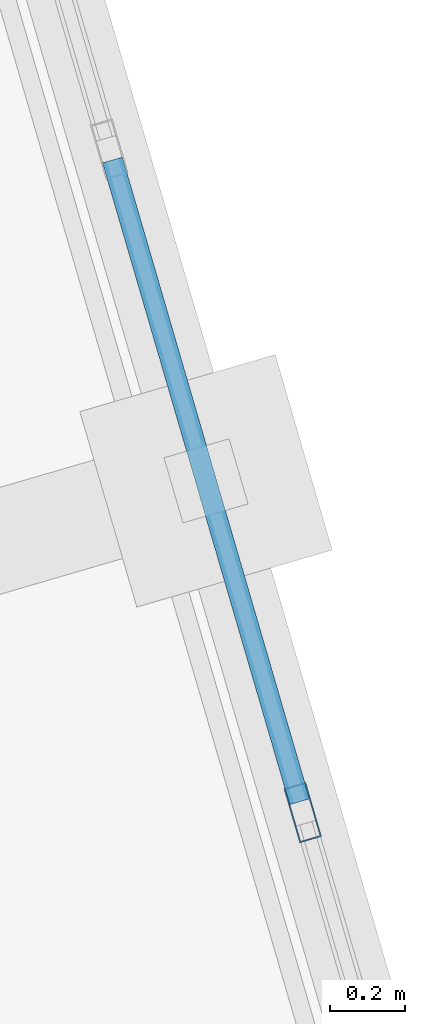
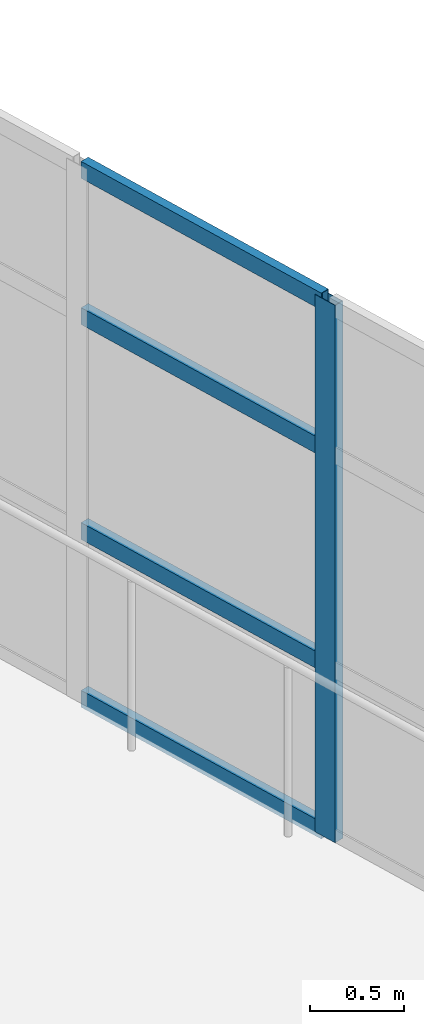
# One storey, part 78 of 248: 5 members, 1 element without a shape of its own.
"""IFC4 building model written with IfcOpenShell, lengths in metres."""

from ifc_helpers import new_model, si_unit, direction, frame, origin, origin_2d, place, context, subcontext, project, spatial, hollow_rectangle, extrude, material, layer, layer_set, material_profile, profile_set, type_object, element, aggregate, save


model = new_model("IFC4")

# Units and contexts
model_context = context("Model", 3, precision=1e-05, world=origin(), true_north=direction((0.0, 1.0)))
body_context = subcontext(model_context, "Body", "Model", "MODEL_VIEW")
ifc_project = project(units=[si_unit("LENGTHUNIT", "METRE"), si_unit("AREAUNIT", "SQUARE_METRE"), si_unit("VOLUMEUNIT", "CUBIC_METRE"), si_unit("PLANEANGLEUNIT", "RADIAN"), si_unit("MASSUNIT", "GRAM", prefix="KILO")], contexts=[model_context])

# Site, building, storey
site_placement = place(None, origin())
site = spatial("IfcSite", under=ifc_project, at=site_placement, CompositionType="ELEMENT")
building_placement = place(site_placement, origin())
building = spatial("IfcBuilding", under=site, at=building_placement, Name="Canggui Botanical Conservatory", CompositionType="ELEMENT")
storey_placement = place(building_placement, frame((0.0, 0.0, 5.39990234375)))
storey = spatial("IfcBuildingStorey", under=building, at=storey_placement, Name="L02", CompositionType="ELEMENT", Elevation=5.39990234375)

# Curtain wall, members
ifc_material = material(Name="Thermally Broken Aluminium", Category="aluminium")
ifc_layer = layer(ifc_material, 0.14990234375, Name="Thermally Broken Aluminium", Category="aluminium")
ifc_layer_set = layer_set([ifc_layer], Name="Thermally Broken Aluminium")
curtain_wall_type = type_object("IfcCurtainWallType", Name="CW-UNIT-C", PredefinedType="USERDEFINED", material=ifc_layer_set)
curtain_wall_placement = place(storey_placement, origin())
curtain_wall = element("IfcCurtainWall", 1, at=curtain_wall_placement, inside=storey, type_object=curtain_wall_type, Name="Facade Curtain Wall CW-CONS-GABLE-L02-N-02", ObjectType="UNITISED CURTAIN WALL", PredefinedType="USERDEFINED")
ifc_material_profile_1 = material_profile(ifc_material, hollow_rectangle(XDim=0.06005859375, YDim=0.14990234375, WallThickness=0.00341796875, at=origin_2d()), Name="CWM 60x150x3.5")
ifc_profile_set_1 = profile_set([ifc_material_profile_1], Name="Thermally Broken Aluminium")
member_type_1 = type_object("IfcMemberType", Name="CWM-03", PredefinedType="MULLION", material=ifc_profile_set_1)
member_1_placement = place(storey_placement, frame((69.57666015625, 64.8798828125, 0.0), z_axis=(0.0, 0.0, 1.0), x_axis=(-0.960000000002, -0.279999999995, 0.0)))
member_1 = element("IfcMember", 2, at=member_1_placement, type_object=member_type_1, Name="CW-03 mullion 2", PredefinedType="MULLION", context=body_context, shape_type="SweptSolid", body=[
    extrude(hollow_rectangle(XDim=0.06005859375, YDim=0.14990234375, WallThickness=0.00341796875, at=origin_2d()), origin(), (0.0, 0.0, 1.0), 3.5),
])
ifc_material_profile_2 = material_profile(ifc_material, hollow_rectangle(XDim=0.054931640625, YDim=0.110107421875, WallThickness=0.0029296875, at=origin_2d()), Name="CWT 55x110x3")
ifc_profile_set_2 = profile_set([ifc_material_profile_2], Name="Thermally Broken Aluminium")
member_type_2 = type_object("IfcMemberType", Name="CWT-03", PredefinedType="USERDEFINED", material=ifc_profile_set_2)
member_2_placement = place(storey_placement, frame((69.568359375, 64.90869140625, 0.027587890625), z_axis=(-0.280026433067, 0.95999228996, 0.0), x_axis=(-0.95999228996, -0.280026433067, 0.0)))
member_2 = element("IfcMember", 3, at=member_2_placement, type_object=member_type_2, Name="CW-03 transom 2.1", ObjectType="TRANSOM", PredefinedType="USERDEFINED", context=body_context, shape_type="SweptSolid", body=[
    extrude(hollow_rectangle(XDim=0.054931640625, YDim=0.110107421875, WallThickness=0.0029296875, at=origin_2d()), origin(), (0.0, 0.0, 1.0), 1.7734375),
])
member_3_placement = place(storey_placement, frame((69.568359375, 64.90869140625, 1.1201171875), z_axis=(-0.280026433067, 0.95999228996, 0.0), x_axis=(-0.95999228996, -0.280026433067, 0.0)))
member_3 = element("IfcMember", 4, at=member_3_placement, type_object=member_type_2, Name="CW-03 transom 2.2", ObjectType="TRANSOM", PredefinedType="USERDEFINED", context=body_context, shape_type="SweptSolid", body=[
    extrude(hollow_rectangle(XDim=0.054931640625, YDim=0.110107421875, WallThickness=0.0029296875, at=origin_2d()), origin(), (0.0, 0.0, 1.0), 1.7734375),
])
member_4_placement = place(storey_placement, frame((69.568359375, 64.90869140625, 2.52001953125), z_axis=(-0.280026433067, 0.95999228996, 0.0), x_axis=(-0.95999228996, -0.280026433067, 0.0)))
member_4 = element("IfcMember", 5, at=member_4_placement, type_object=member_type_2, Name="CW-03 transom 2.3", ObjectType="TRANSOM", PredefinedType="USERDEFINED", context=body_context, shape_type="SweptSolid", body=[
    extrude(hollow_rectangle(XDim=0.054931640625, YDim=0.110107421875, WallThickness=0.0029296875, at=origin_2d()), origin(), (0.0, 0.0, 1.0), 1.7734375),
])
member_5_placement = place(storey_placement, frame((69.568359375, 64.90869140625, 3.47265625), z_axis=(-0.280026433067, 0.95999228996, 0.0), x_axis=(-0.95999228996, -0.280026433067, 0.0)))
member_5 = element("IfcMember", 6, at=member_5_placement, type_object=member_type_2, Name="CW-03 transom 2.4", ObjectType="TRANSOM", PredefinedType="USERDEFINED", context=body_context, shape_type="SweptSolid", body=[
    extrude(hollow_rectangle(XDim=0.054931640625, YDim=0.110107421875, WallThickness=0.0029296875, at=origin_2d()), origin(), (0.0, 0.0, 1.0), 1.7734375),
])
aggregate(curtain_wall, [member_1, member_2, member_3, member_4, member_5])

save(model, "model.ifc")
